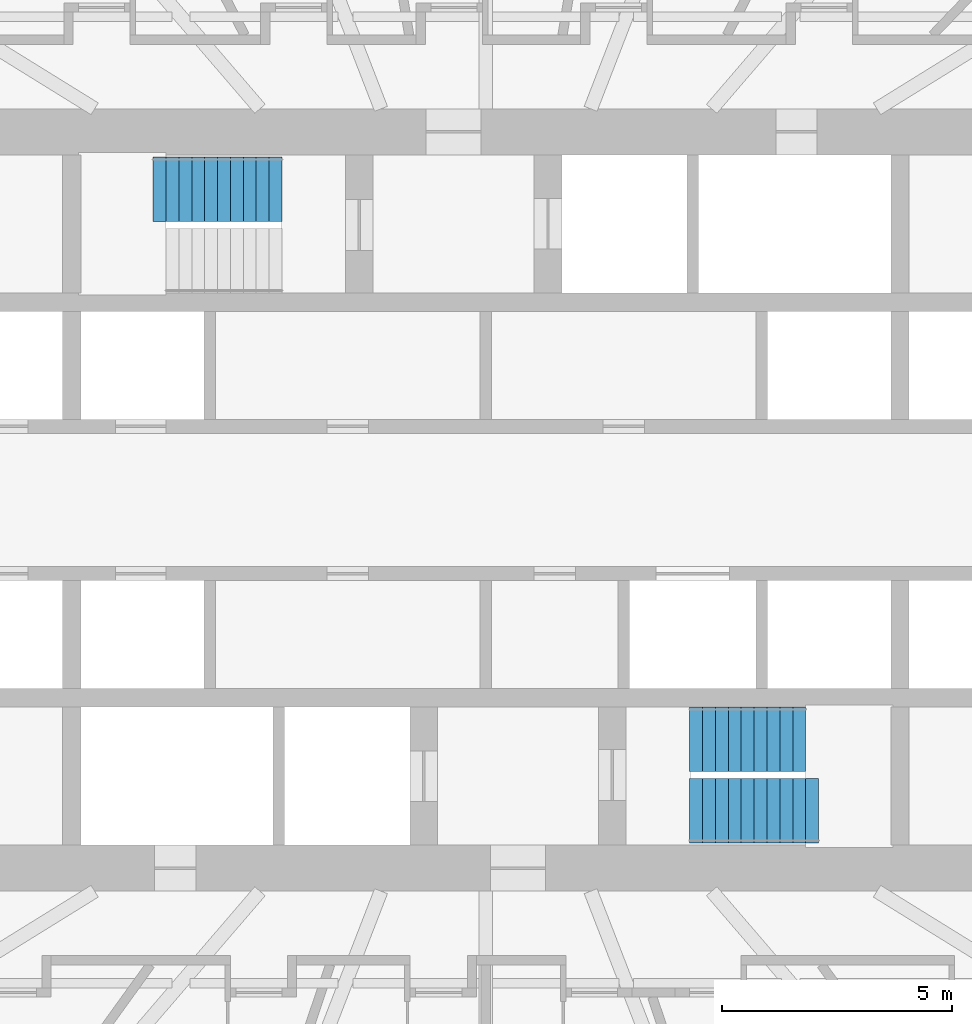
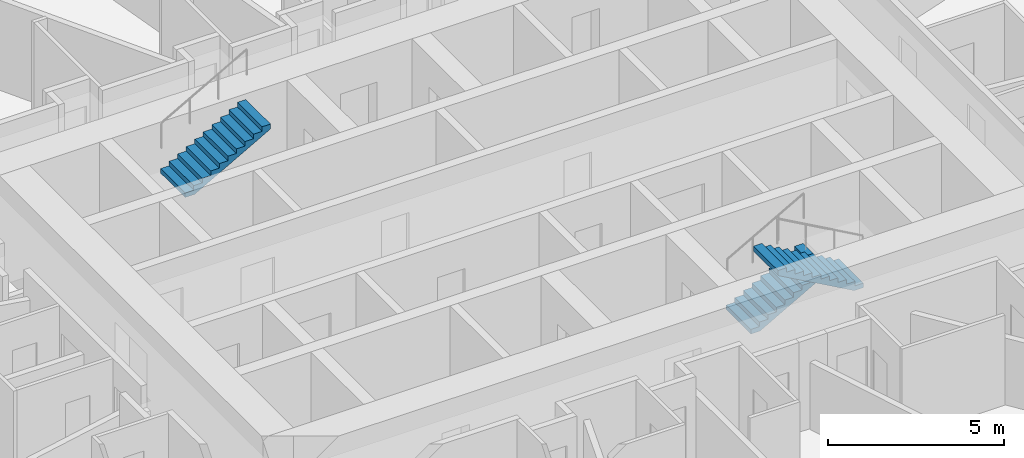
# One storey, part 13 of 14: 3 stair flights, 2 elements without a shape of their own.
"""IFC4 building model written with IfcOpenShell, lengths in metres."""

from ifc_helpers import new_model, si_unit, direction, frame, origin, place, context, subcontext, project, spatial, polyline, outline, extrude, material, type_object, element, aggregate, save


model = new_model("IFC4")

# Units and contexts
model_context = context("Model", 3, precision=1e-05, world=origin(), true_north=direction((0.0, 1.0)))
body_context = subcontext(model_context, "Body", "Model", "MODEL_VIEW")
ifc_project = project(units=[si_unit("LENGTHUNIT", "METRE"), si_unit("AREAUNIT", "SQUARE_METRE"), si_unit("VOLUMEUNIT", "CUBIC_METRE"), si_unit("PLANEANGLEUNIT", "RADIAN"), si_unit("MASSUNIT", "GRAM", prefix="KILO")], contexts=[model_context])

# Site, building, storey
site_placement = place(None, origin())
site = spatial("IfcSite", under=ifc_project, at=site_placement, CompositionType="ELEMENT")
building_placement = place(site_placement, origin())
building = spatial("IfcBuilding", under=site, at=building_placement, Name="Hankou Lantern Tower", CompositionType="ELEMENT")
storey_placement = place(building_placement, frame((0.0, 0.0, 57.300048828125)))
storey = spatial("IfcBuildingStorey", under=building, at=storey_placement, Name="L13", CompositionType="ELEMENT", Elevation=57.300048828125)

# Stair, stair flight
ifc_material_1 = material(Name="Concrete C40", Category="concrete")
stair_type = type_object("IfcStairType", Name="ST33 CORE STAIR 3300 RISE", PredefinedType="HALF_TURN_STAIR", material=ifc_material_1)
stair_1_placement = place(storey_placement, origin())
stair_1 = element("IfcStair", 1, at=stair_1_placement, inside=storey, type_object=stair_type, Name="Stair STB L13", PredefinedType="HALF_TURN_STAIR")
ifc_material_2 = material(Name="Concrete C40", Category="concrete")
stair_flight_type_1 = type_object("IfcStairFlightType", Name="CF10 CORE STAIR FLIGHT 1400 X 10 RISERS", PredefinedType="STRAIGHT", material=ifc_material_2)
stair_flight_1_placement = place(storey_placement, frame((4.429931640625, -5.199951171875, 0.0), z_axis=(0.0, 0.0, 1.0), x_axis=(1.0, 0.0, 0.0)))
stair_flight_1 = element("IfcStairFlight", 2, at=stair_flight_1_placement, type_object=stair_flight_type_1, Name="STB flight 1", NumberOfRisers=10, NumberOfTreads=9, PredefinedType="STRAIGHT", RiserHeight=0.157142857, TreadLength=0.28, context=body_context, shape_type="SweptSolid", body=[
    extrude(outline(polyline([(0.0, 0.0), (0.0, 0.1572265625), (0.280029296875, 0.1572265625), (0.280029296875, 0.314208984375), (0.56005859375, 0.314208984375), (0.56005859375, 0.471435546875), (0.840087890625, 0.471435546875), (0.840087890625, 0.628662109375), (1.1201171875, 0.628662109375), (1.1201171875, 0.78564453125), (1.39990234375, 0.78564453125), (1.39990234375, 0.94287109375), (1.679931640625, 0.94287109375), (1.679931640625, 1.10009765625), (1.9599609375, 1.10009765625), (1.9599609375, 1.257080078125), (2.239990234375, 1.257080078125), (2.239990234375, 1.414306640625), (2.52001953125, 1.414306640625), (2.52001953125, 1.571533203125), (2.52001953125, 1.242431640625), (0.306396484375, 0.0), (0.0, 0.0)])), frame((0.0, 0.699951171875, 0.0), z_axis=(0.0, -1.0, 0.0), x_axis=(1.0, 0.0, 0.0)), (0.0, 0.0, 1.0), 1.39990234375),
])

stair_2_placement = place(storey_placement, origin())
stair_2 = element("IfcStair", 3, at=stair_2_placement, inside=storey, type_object=stair_type, Name="Stair STA L13", PredefinedType="HALF_TURN_STAIR")
ifc_material_3 = material(Name="Concrete C40", Category="concrete")
stair_flight_type_2 = type_object("IfcStairFlightType", Name="CF11 CORE STAIR FLIGHT 1400 X 11 RISERS", PredefinedType="STRAIGHT", material=ifc_material_3)
stair_flight_2_placement = place(storey_placement, frame((-7.22998046875, 6.75, 1.5712890625), z_axis=(0.0, 0.0, 1.0), x_axis=(1.0, 0.0, 0.0)))
stair_flight_2 = element("IfcStairFlight", 4, at=stair_flight_2_placement, type_object=stair_flight_type_2, Name="STA flight 2", NumberOfRisers=11, NumberOfTreads=10, PredefinedType="STRAIGHT", RiserHeight=0.157142857, TreadLength=0.28, context=body_context, shape_type="SweptSolid", body=[
    extrude(outline(polyline([(0.0, 0.0), (0.0, 0.1572265625), (0.280029296875, 0.1572265625), (0.280029296875, 0.314208984375), (0.56005859375, 0.314208984375), (0.56005859375, 0.471435546875), (0.840087890625, 0.471435546875), (0.840087890625, 0.628662109375), (1.1201171875, 0.628662109375), (1.1201171875, 0.78564453125), (1.39990234375, 0.78564453125), (1.39990234375, 0.94287109375), (1.679931640625, 0.94287109375), (1.679931640625, 1.10009765625), (1.9599609375, 1.10009765625), (1.9599609375, 1.257080078125), (2.239990234375, 1.257080078125), (2.239990234375, 1.414306640625), (2.52001953125, 1.414306640625), (2.52001953125, 1.571533203125), (2.800048828125, 1.571533203125), (2.800048828125, 1.728515625), (2.800048828125, 1.3994140625), (0.306396484375, 0.0), (0.0, 0.0)])), frame((0.0, 0.699951171875, 0.0), z_axis=(0.0, -1.0, 0.0), x_axis=(1.0, 0.0, 0.0)), (0.0, 0.0, 1.0), 1.39990234375),
])
aggregate(stair_2, [stair_flight_2])

# Stair flight
stair_flight_3_placement = place(storey_placement, frame((7.22998046875, -6.75, 1.5712890625), z_axis=(0.0, 0.0, 1.0), x_axis=(-1.0, 0.0, 0.0)))
stair_flight_3 = element("IfcStairFlight", 5, at=stair_flight_3_placement, type_object=stair_flight_type_2, Name="STB flight 2", NumberOfRisers=11, NumberOfTreads=10, PredefinedType="STRAIGHT", RiserHeight=0.157142857, TreadLength=0.28, context=body_context, shape_type="SweptSolid", body=[
    extrude(outline(polyline([(0.0, 0.0), (0.0, 0.1572265625), (0.280029296875, 0.1572265625), (0.280029296875, 0.314208984375), (0.56005859375, 0.314208984375), (0.56005859375, 0.471435546875), (0.840087890625, 0.471435546875), (0.840087890625, 0.628662109375), (1.1201171875, 0.628662109375), (1.1201171875, 0.78564453125), (1.39990234375, 0.78564453125), (1.39990234375, 0.94287109375), (1.679931640625, 0.94287109375), (1.679931640625, 1.10009765625), (1.9599609375, 1.10009765625), (1.9599609375, 1.257080078125), (2.239990234375, 1.257080078125), (2.239990234375, 1.414306640625), (2.52001953125, 1.414306640625), (2.52001953125, 1.571533203125), (2.800048828125, 1.571533203125), (2.800048828125, 1.728515625), (2.800048828125, 1.3994140625), (0.306396484375, 0.0), (0.0, 0.0)])), frame((0.0, 0.699951171875, 0.0), z_axis=(0.0, -1.0, 0.0), x_axis=(1.0, 0.0, 0.0)), (0.0, 0.0, 1.0), 1.39990234375),
])

aggregate(stair_1, [stair_flight_1, stair_flight_3])

save(model, "model.ifc")
